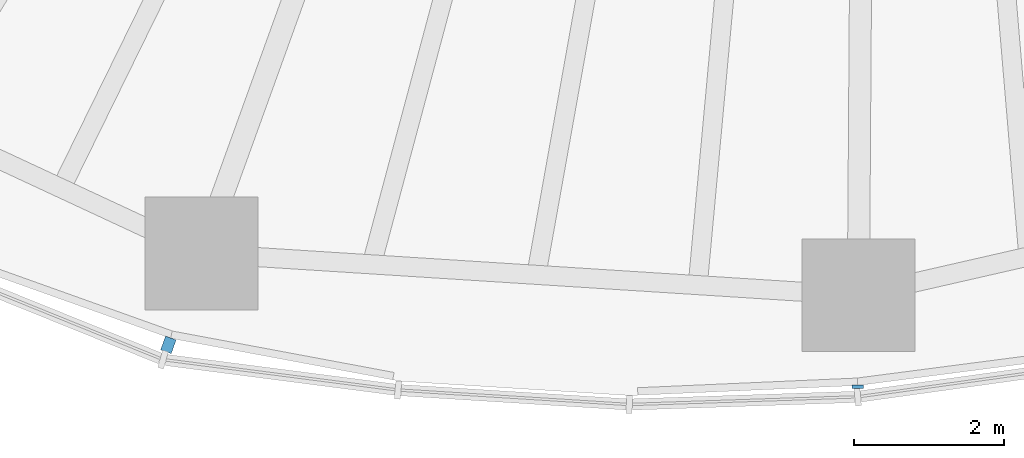
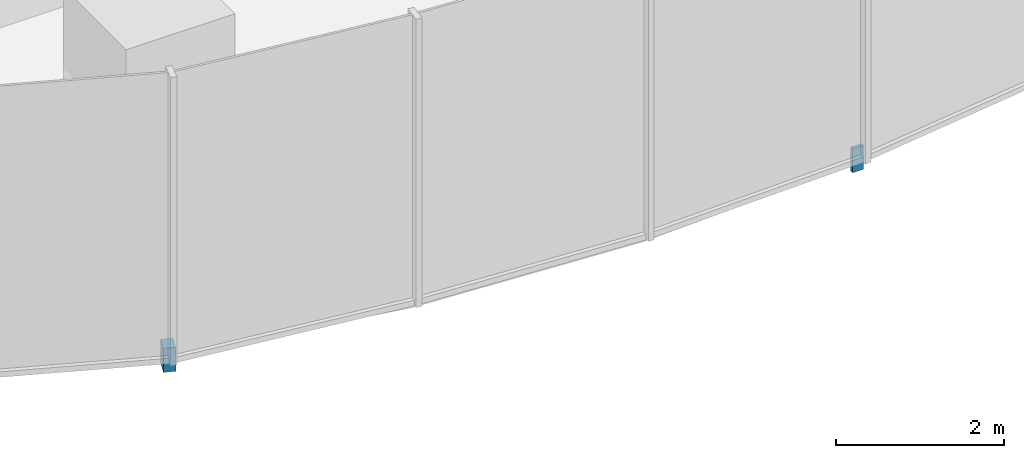
# One storey, part 12 of 18: 2 discrete accessories.
"""IFC4 building model written with IfcOpenShell, lengths in metres."""

from ifc_helpers import new_model, si_unit, direction, frame, origin, origin_2d, place, context, subcontext, project, spatial, rectangle, extrude, material, type_object, element, save


model = new_model("IFC4")

# Units and contexts
model_context = context("Model", 3, precision=1e-05, world=origin(), true_north=direction((0.0, 1.0)))
body_context = subcontext(model_context, "Body", "Model", "MODEL_VIEW")
ifc_project = project(units=[si_unit("LENGTHUNIT", "METRE"), si_unit("AREAUNIT", "SQUARE_METRE"), si_unit("VOLUMEUNIT", "CUBIC_METRE"), si_unit("PLANEANGLEUNIT", "RADIAN"), si_unit("MASSUNIT", "GRAM", prefix="KILO")], contexts=[model_context])

# Site, building, storey
site_placement = place(None, origin())
site = spatial("IfcSite", under=ifc_project, at=site_placement, CompositionType="ELEMENT")
building_placement = place(site_placement, origin())
building = spatial("IfcBuilding", under=site, at=building_placement, Name="Ghaith Harvest Tower", CompositionType="ELEMENT")
storey_placement = place(building_placement, frame((0.0, 0.0, 113.39990234375)))
storey = spatial("IfcBuildingStorey", under=building, at=storey_placement, Name="L23", CompositionType="ELEMENT", Elevation=113.39990234375)

# Discrete accessories
ifc_material_1 = material(Name="Stainless steel grade 1.4401", Category="steel")
discrete_accessory_type_1 = type_object("IfcDiscreteAccessoryType", Name="CURTAIN WALL BRACKET 195", PredefinedType="BRACKET", material=ifc_material_1)
discrete_accessory_1_placement = place(storey_placement, frame((-9.348388671875, -25.883544921875, -0.25), z_axis=(0.0, 0.0, 1.0), x_axis=(-0.33969945263, -0.940534040789, 0.0)))
element("IfcDiscreteAccessory", 1, at=discrete_accessory_1_placement, inside=storey, type_object=discrete_accessory_type_1, Name="CW-L bracket 1 bay 15 L23", PredefinedType="BRACKET", context=body_context, shape_type="SweptSolid", body=[
    extrude(rectangle(XDim=0.195068359375, YDim=0.14990234375, at=origin_2d()), origin(), (0.0, 0.0, 1.0), 0.35009765625),
])
ifc_material_2 = material(Name="Stainless steel grade 1.4401", Category="steel")
discrete_accessory_type_2 = type_object("IfcDiscreteAccessoryType", Name="CURTAIN WALL BRACKET 45", PredefinedType="BRACKET", material=ifc_material_2)
discrete_accessory_2_placement = place(storey_placement, frame((-0.180908203125, -26.441162109375, -0.25), z_axis=(0.0, 0.0, 1.0), x_axis=(-0.006843747957, -0.999976581283, 0.0)))
element("IfcDiscreteAccessory", 2, at=discrete_accessory_2_placement, inside=storey, type_object=discrete_accessory_type_2, Name="CW-L bracket 1 bay 16 L23", PredefinedType="BRACKET", context=body_context, shape_type="SweptSolid", body=[
    extrude(rectangle(XDim=0.044921875, YDim=0.14990234375, at=origin_2d()), origin(), (0.0, 0.0, 1.0), 0.35009765625),
])

save(model, "model.ifc")
